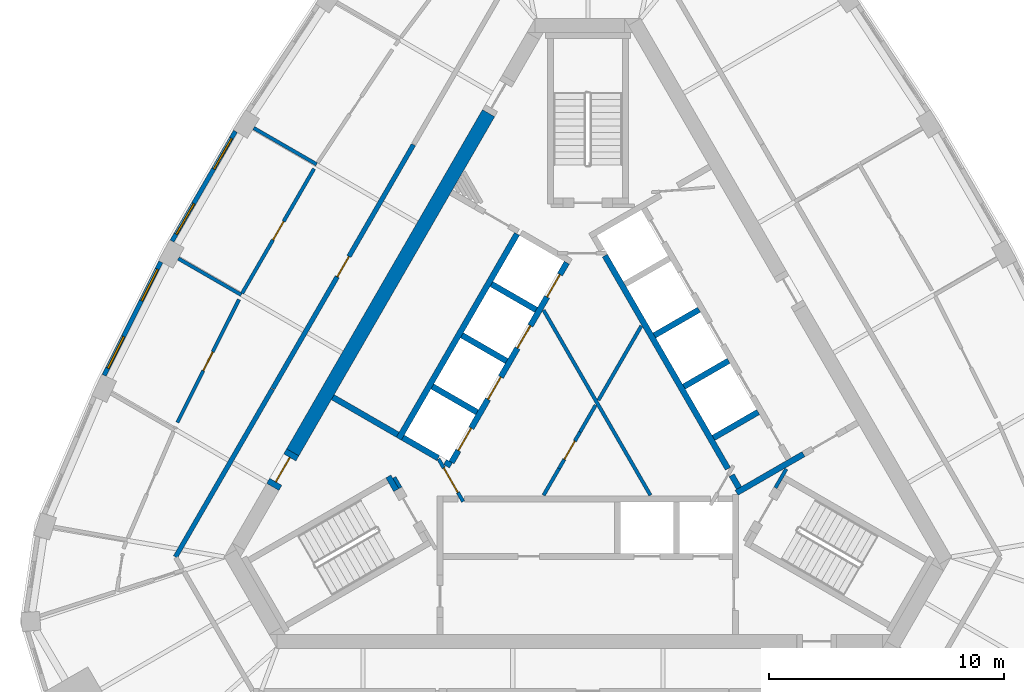
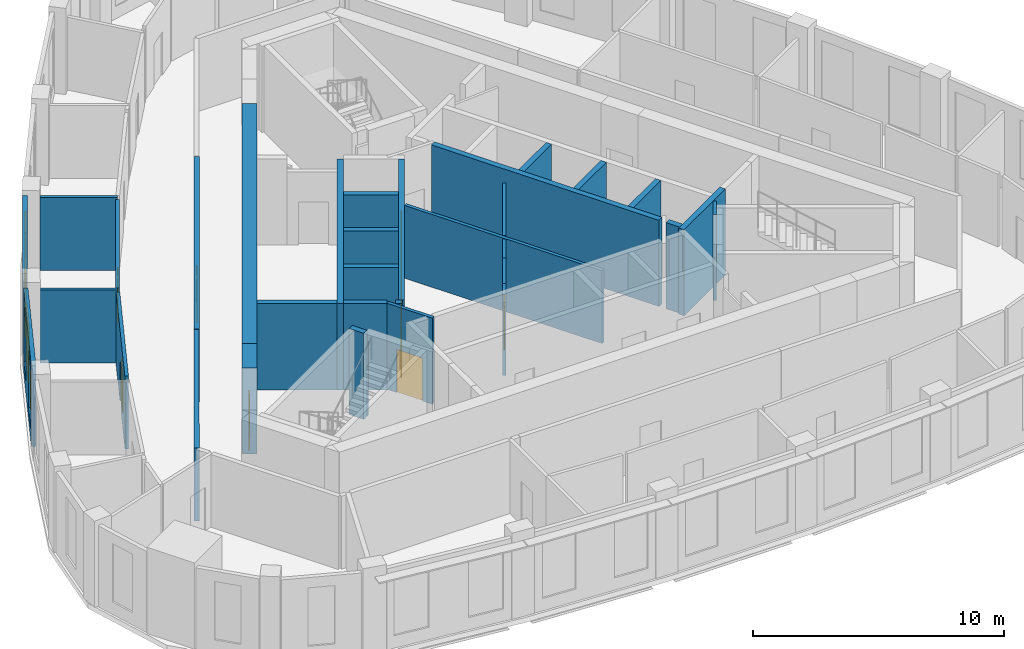
# One storey, part 5 of 10: 33 walls, 10 doors, 4 windows, 14 openings.
"""IFC4 building model written with IfcOpenShell, lengths in metres."""

import ifcopenshell
import ifcopenshell.guid

model = None  # the IFC model being written
_history = None  # IfcOwnerHistory: only IFC2X3 demands one
_inside = {}  # id of a spatial element -> (the spatial element, [elements in it])
_under = {}  # id of a project, library or spatial element -> (it, [spatial elements below it])
_declared = {}  # id of a project -> (the project, [libraries it declares])
_typed = {}  # id of a type object -> (the type object, [elements of that type])
_made_of = {}  # id of a material, layer set ... -> (it, [elements and type objects made of it])


def new_model(schema):
    """Start an empty IFC model of exactly this schema.

    Asked for "IFC4X3", IfcOpenShell would pick the latest addendum, in which some entities
    have other attributes; the version numbers below select the first issue.
    IFC2X3 requires an IfcOwnerHistory on every rooted entity: one is made here for all.
    """
    global model, _history
    if schema == "IFC4X3":
        model = ifcopenshell.file(schema_version=(4, 3, 0, 0))
    else:
        model = ifcopenshell.file(schema=schema)
    _inside.clear()
    _under.clear()
    _declared.clear()
    _typed.clear()
    _made_of.clear()
    _history = None
    if model.schema == "IFC2X3":
        org = make("IfcOrganization", Name="unknown")
        user = make(
            "IfcPersonAndOrganization",
            ThePerson=make("IfcPerson", FamilyName="unknown"),
            TheOrganization=org,
        )
        app = make(
            "IfcApplication",
            ApplicationDeveloper=org,
            Version="unknown",
            ApplicationFullName="unknown",
            ApplicationIdentifier="unknown",
        )
        _history = make(
            "IfcOwnerHistory",
            OwningUser=user,
            OwningApplication=app,
            ChangeAction="ADDED",
            CreationDate=0,
        )
    return model


def make(cls, **values):
    """One entity of the class cls with the attributes given. An attribute that is None is left unset."""
    return model.create_entity(
        cls, **{name: value for name, value in values.items() if value is not None}
    )


def rooted(cls, **values):
    """An entity with a GlobalId (a new one), such as an element, a storey or a relation."""
    return make(cls, GlobalId=ifcopenshell.guid.new(), OwnerHistory=_history, **values)


def si_unit(unit_type, name, prefix=None):
    """IfcSIUnit, for example si_unit("LENGTHUNIT", "METRE", prefix="MILLI")."""
    return make("IfcSIUnit", UnitType=unit_type, Prefix=prefix, Name=name)


def assignment(units):
    """IfcUnitAssignment: the units of a project."""
    return None if units is None else make("IfcUnitAssignment", Units=units)


def point(xyz):
    """IfcCartesianPoint."""
    return None if xyz is None else make("IfcCartesianPoint", Coordinates=xyz)


def direction(xyz):
    """IfcDirection."""
    return None if xyz is None else make("IfcDirection", DirectionRatios=xyz)


def frame(location, z_axis=None, x_axis=None):
    """IfcAxis2Placement3D, a coordinate frame: its origin and axes. An axis left out is left unset."""
    return make(
        "IfcAxis2Placement3D",
        Location=point(location),
        Axis=direction(z_axis),
        RefDirection=direction(x_axis),
    )


def frame_2d(location, x_axis=None):
    """IfcAxis2Placement2D, a coordinate frame in the plane: its origin and x axis."""
    return make(
        "IfcAxis2Placement2D", Location=point(location), RefDirection=direction(x_axis)
    )


def origin():
    """The frame at (0, 0, 0) with its axes left unset."""
    return frame((0.0, 0.0, 0.0))


def place(relative_to, where):
    """IfcLocalPlacement: puts the frame where relative to a parent placement (None: the world)."""
    return make(
        "IfcLocalPlacement", PlacementRelTo=relative_to, RelativePlacement=where
    )


def context(
    kind, dimensions, precision=None, world=None, true_north=None, identifier=None
):
    """IfcGeometricRepresentationContext, for example the 3D "Model" context."""
    return make(
        "IfcGeometricRepresentationContext",
        ContextIdentifier=identifier,
        ContextType=kind,
        CoordinateSpaceDimension=dimensions,
        Precision=precision,
        WorldCoordinateSystem=world,
        TrueNorth=true_north,
    )


def subcontext(parent, identifier, kind, view, scale=None):
    """IfcGeometricRepresentationSubContext, for example "Body" below "Model"."""
    return make(
        "IfcGeometricRepresentationSubContext",
        ContextIdentifier=identifier,
        ContextType=kind,
        ParentContext=parent,
        TargetScale=scale,
        TargetView=view,
    )


def project(units=None, contexts=None):
    """IfcProject with its units and contexts."""
    return rooted(
        "IfcProject",
        Name="project",
        RepresentationContexts=contexts,
        UnitsInContext=assignment(units),
    )


def spatial(cls, under=None, at=None, **own):
    """A site, building, storey or space (cls), placed at a placement, below another one or the project."""
    s = rooted(cls, ObjectPlacement=at, **own)
    if under is not None:
        _under.setdefault(under.id(), (under, []))[1].append(s)
    return s


def profile(cls, at=None, kind="AREA", **sizes):
    """A parametric profile (cls). Its sizes go by their IFC names, for example OverallWidth=200.0."""
    return make(cls, ProfileType=kind, Position=at, **sizes)


def rectangle(**sizes):
    """IfcRectangleProfileDef."""
    return profile("IfcRectangleProfileDef", **sizes)


def extrude(swept, where, along, depth):
    """IfcExtrudedAreaSolid: the profile swept, set in the frame where, extruded along a direction by depth."""
    return make(
        "IfcExtrudedAreaSolid",
        SweptArea=swept,
        Position=where,
        ExtrudedDirection=direction(along),
        Depth=depth,
    )


def shape(context_of_items, identifier, shape_type, items):
    """IfcShapeRepresentation: the items that make up one representation, for example the "Body"."""
    return make(
        "IfcShapeRepresentation",
        ContextOfItems=context_of_items,
        RepresentationIdentifier=identifier,
        RepresentationType=shape_type,
        Items=items,
    )


def material(Name=None, Category=None):
    """IfcMaterial."""
    return make("IfcMaterial", Name=Name, Category=Category)


def layer(
    of_material, thickness, ventilated=None, Name=None, Category=None, Priority=None
):
    """IfcMaterialLayer: one layer of a wall or slab, of a material (None: an air gap)."""
    return make(
        "IfcMaterialLayer",
        Material=of_material,
        LayerThickness=thickness,
        IsVentilated=ventilated,
        Name=Name,
        Category=Category,
        Priority=Priority,
    )


def layer_set(layers, Name=None):
    """IfcMaterialLayerSet."""
    return make("IfcMaterialLayerSet", MaterialLayers=layers, LayerSetName=Name)


def made_of(thing, what):
    """Note that an element or type object is made of a material, layer set ...; save() writes the relation."""
    if what is not None:
        _made_of.setdefault(what.id(), (what, []))[1].append(thing)
    return thing


def type_object(cls, material=None, **own):
    """A type object (cls), such as IfcWallType, which elements share."""
    return made_of(rooted(cls, **own), material)


def element(
    cls,
    number,
    at=None,
    inside=None,
    cuts=None,
    type_object=None,
    material=None,
    context=None,
    identifier="Body",
    shape_type=None,
    held_by="IfcProductDefinitionShape",
    body=None,
    shapes=None,
    **own,
):
    """One element of the class cls, such as IfcWall. Its Tag is "e" and its number.

    at: its placement. inside: the storey or other place that contains it. cuts: it is an
    opening in that element (IfcRelVoidsElement). A single representation is given by context,
    identifier, shape_type and body (its items); several are given by shapes. held_by: the class
    of the entity that holds the representations. save() writes the other relations.
    """
    e = rooted(cls, Tag="e%d" % number, ObjectPlacement=at, **own)
    if body is not None:
        shapes = [shape(context, identifier, shape_type, body)]
    if shapes is not None:
        e.Representation = make(held_by, Representations=shapes)
    if inside is not None:
        _inside.setdefault(inside.id(), (inside, []))[1].append(e)
    if cuts is not None:
        rooted(
            "IfcRelVoidsElement", RelatingBuildingElement=cuts, RelatedOpeningElement=e
        )
    if type_object is not None:
        _typed.setdefault(type_object.id(), (type_object, []))[1].append(e)
    return made_of(e, material)


def fill(opening, filler):
    """IfcRelFillsElement: the door or window that sits in an opening."""
    return rooted(
        "IfcRelFillsElement",
        RelatingOpeningElement=opening,
        RelatedBuildingElement=filler,
    )


def aggregate(whole, parts):
    """IfcRelAggregates: a whole, such as a stair, and the parts it consists of."""
    return rooted("IfcRelAggregates", RelatingObject=whole, RelatedObjects=parts)


def save(model, path):
    """Write the relations noted so far, then the file.

    IfcRelAggregates (storeys below a building ...), IfcRelContainedInSpatialStructure (elements
    in a storey), IfcRelDefinesByType, IfcRelAssociatesMaterial and IfcRelDeclares: one each for
    every whole, place, type object, material and project.
    """
    for whole, parts in _under.values():
        aggregate(whole, parts)
    for where, things in _inside.values():
        rooted(
            "IfcRelContainedInSpatialStructure",
            RelatedElements=things,
            RelatingStructure=where,
        )
    for kind, things in _typed.values():
        rooted("IfcRelDefinesByType", RelatedObjects=things, RelatingType=kind)
    for what, things in _made_of.values():
        rooted("IfcRelAssociatesMaterial", RelatedObjects=things, RelatingMaterial=what)
    for by, libraries in _declared.values():
        rooted("IfcRelDeclares", RelatingContext=by, RelatedDefinitions=libraries)
    model.write(path)


model = new_model("IFC4")

# Units and contexts
model_context = context("Model", 3, precision=1e-05, world=origin(), true_north=direction((0.0, 1.0)))
body_context = subcontext(model_context, "Body", "Model", "MODEL_VIEW")
ifc_project = project(units=[si_unit("LENGTHUNIT", "METRE"), si_unit("AREAUNIT", "SQUARE_METRE"), si_unit("VOLUMEUNIT", "CUBIC_METRE"), si_unit("PLANEANGLEUNIT", "RADIAN"), si_unit("MASSUNIT", "GRAM", prefix="KILO")], contexts=[model_context])

# Site, building, storey
site_placement = place(None, origin())
site = spatial("IfcSite", under=ifc_project, at=site_placement, CompositionType="ELEMENT")
building_placement = place(site_placement, origin())
building = spatial("IfcBuilding", under=site, at=building_placement, Name="Mestral Congress Tower", CompositionType="ELEMENT")
storey_placement = place(building_placement, frame((0.0, 0.0, 279.60009765625)))
storey = spatial("IfcBuildingStorey", under=building, at=storey_placement, Name="L65", CompositionType="ELEMENT", Elevation=279.60009765625)

# Walls
ifc_material_1 = material(Name="Fire-rated board partition")
ifc_layer_1 = layer(ifc_material_1, 0.14990234375)
ifc_layer_set_1 = layer_set([ifc_layer_1], Name="Fire-rated board partition")
wall_type_1 = type_object("IfcWallType", Name="Core partition 150", PredefinedType="PARTITIONING", material=ifc_layer_set_1)
wall_1_placement = place(storey_placement, frame((-8.251953125, -2.958251953125, 0.0), z_axis=(0.0, 0.0, 1.0), x_axis=(0.500174715838, -0.865924508047, 0.0)))
element("IfcWall", 1, at=wall_1_placement, inside=storey, type_object=wall_type_1, Name="L65 core wall", PredefinedType="PARTITIONING", context=body_context, shape_type="SweptSolid", body=[
    extrude(rectangle(XDim=0.513916015625, YDim=0.14990234375, at=frame_2d((0.2568359375, 0.0))), origin(), (0.0, 0.0, 1.0), 3.5498046875),
])
wall_2_placement = place(storey_placement, frame((-1.886962890625, 4.168212890625, 0.0), z_axis=(0.0, 0.0, 1.0), x_axis=(0.499997069472, -0.866027095719, 0.0)))
element("IfcWall", 2, at=wall_2_placement, inside=storey, type_object=wall_type_1, Name="L65 core wall", PredefinedType="PARTITIONING", context=body_context, shape_type="SweptSolid", body=[
    extrude(rectangle(XDim=9.1064453125, YDim=0.14990234375, at=frame_2d((4.55322265625, 0.0))), origin(), (0.0, 0.0, 1.0), 3.5498046875),
])
wall_3_placement = place(storey_placement, frame((-0.329345703125, -1.0205078125, 0.0), z_axis=(0.0, 0.0, 1.0), x_axis=(0.500033191285, 0.866006239939, 0.0)))
element("IfcWall", 3, at=wall_3_placement, inside=storey, type_object=wall_type_1, Name="L65 core wall", PredefinedType="PARTITIONING", context=body_context, shape_type="SweptSolid", body=[
    extrude(rectangle(XDim=1.31494140625, YDim=0.14990234375, at=frame_2d((0.657470703125, 0.0))), origin(), (0.0, 0.0, 1.0), 3.5498046875),
])
wall_4_placement = place(storey_placement, frame((2.276611328125, 3.4931640625, 0.0), z_axis=(0.0, 0.0, 1.0), x_axis=(-0.499994550825, -0.866028549844, 0.0)))
element("IfcWall", 4, at=wall_4_placement, inside=storey, type_object=wall_type_1, Name="L65 core wall", PredefinedType="PARTITIONING", context=body_context, shape_type="SweptSolid", body=[
    extrude(rectangle(XDim=3.650390625, YDim=0.14990234375, at=frame_2d((1.8251953125, 0.0))), origin(), (0.0, 0.0, 1.0), 3.5498046875),
])
wall_5_placement = place(storey_placement, frame((-1.886962890625, -3.71826171875, 0.0), z_axis=(0.0, 0.0, 1.0), x_axis=(0.500033191285, 0.866006239939, 0.0)))
element("IfcWall", 5, at=wall_5_placement, inside=storey, type_object=wall_type_1, Name="L65 core wall", PredefinedType="PARTITIONING", context=body_context, shape_type="SweptSolid", body=[
    extrude(rectangle(XDim=1.31494140625, YDim=0.14990234375, at=frame_2d((0.657470703125, 0.0))), origin(), (0.0, 0.0, 1.0), 3.5498046875),
])

# Wall, opening, door
wall_6_placement = place(storey_placement, frame((-1.2294921875, -2.579345703125, 0.0), z_axis=(0.0, 0.0, 1.0), x_axis=(0.500062916607, 0.865989075817, 0.0)))
wall_6 = element("IfcWall", 6, at=wall_6_placement, inside=storey, type_object=wall_type_1, Name="L65 door wall", PredefinedType="PARTITIONING", context=body_context, shape_type="SweptSolid", body=[
    extrude(rectangle(XDim=1.800048828125, YDim=0.14990234375, at=frame_2d((0.89990234375, 0.0))), origin(), (0.0, 0.0, 1.0), 3.5498046875),
])
opening_1_placement = place(wall_6_placement, frame((0.449951171875, 0.0, 0.0)))
opening_1 = element("IfcOpeningElement", 7, at=opening_1_placement, cuts=wall_6, Name="Opening SD-HUB2", PredefinedType="OPENING", context=body_context, shape_type="SweptSolid", body=[
    extrude(rectangle(XDim=0.89990234375, YDim=2.10009765625, at=frame_2d((0.449951171875, 1.050048828125))), frame((0.0, 0.0849609375, 0.0), z_axis=(0.0, -1.0, 0.0), x_axis=(1.0, 0.0, 0.0)), (0.0, 0.0, 1.0), 0.169921875),
])
ifc_material_2 = material(Name="Fire-rated steel door set", Category="steel")
door_type_1 = type_object("IfcDoorType", Name="Core door SR 900x2100", OperationType="SINGLE_SWING_LEFT", PredefinedType="DOOR", material=ifc_material_2)
door_1_placement = place(opening_1_placement, origin())
door_1 = element("IfcDoor", 8, at=door_1_placement, inside=storey, type_object=door_type_1, Name="Door SD-HUB2", OperationType="SINGLE_SWING_LEFT", OverallHeight=2.10009765625, OverallWidth=0.89990234375, PredefinedType="DOOR", context=body_context, shape_type="SweptSolid", body=[
    extrude(rectangle(XDim=0.89990234375, YDim=2.10009765625, at=frame_2d((0.449951171875, 1.050048828125))), frame((0.0, 0.02490234375, 0.0), z_axis=(0.0, -1.0, 0.0), x_axis=(1.0, 0.0, 0.0)), (0.0, 0.0, 1.0), 0.050048828125),
])
fill(opening_1, door_1)

# Wall
ifc_material_3 = material(Name="Concrete C60/75", Category="concrete")
ifc_layer_2 = layer(ifc_material_3, 0.60009765625)
ifc_layer_set_2 = layer_set([ifc_layer_2], Name="Concrete C60/75")
wall_type_2 = type_object("IfcWallType", Name="Core wall RC 600", PredefinedType="SOLIDWALL", material=ifc_layer_set_2)
wall_7_placement = place(storey_placement, frame((-4.234375, 12.56591796875, 0.0), z_axis=(0.0, 0.0, 1.0), x_axis=(-0.499998841866, -0.866026072432, 0.0)))
element("IfcWall", 9, at=wall_7_placement, inside=storey, type_object=wall_type_2, Name="L65 core wall", PredefinedType="SOLIDWALL", context=body_context, shape_type="SweptSolid", body=[
    extrude(rectangle(XDim=16.6943359375, YDim=0.60009765625, at=frame_2d((8.34716796875, 0.0))), origin(), (0.0, 0.0, 1.0), 4.199951171875),
])

# Wall, opening, door
wall_8_placement = place(storey_placement, frame((-13.431640625, -3.3642578125, 0.0), z_axis=(0.0, 0.0, 1.0), x_axis=(0.500000056704, 0.866025371046, 0.0)))
wall_8 = element("IfcWall", 10, at=wall_8_placement, inside=storey, type_object=wall_type_2, Name="L65 door wall", PredefinedType="SOLIDWALL", context=body_context, shape_type="SweptSolid", body=[
    extrude(rectangle(XDim=1.7001953125, YDim=0.60009765625, at=frame_2d((0.85009765625, 0.0))), origin(), (0.0, 0.0, 1.0), 4.199951171875),
])
opening_2_placement = place(wall_8_placement, frame((0.25, 0.0, 0.0)))
opening_2 = element("IfcOpeningElement", 11, at=opening_2_placement, cuts=wall_8, Name="Opening XD3", PredefinedType="OPENING", context=body_context, shape_type="SweptSolid", body=[
    extrude(rectangle(XDim=1.199951171875, YDim=2.10009765625, at=frame_2d((0.60009765625, 1.050048828125))), frame((0.0, 0.31005859375, 0.0), z_axis=(0.0, -1.0, 0.0), x_axis=(1.0, 0.0, 0.0)), (0.0, 0.0, 1.0), 0.6201171875),
])
door_type_2 = type_object("IfcDoorType", Name="Core door XD 1200x2100", OperationType="SINGLE_SWING_LEFT", PredefinedType="DOOR", material=ifc_material_2)
door_2_placement = place(opening_2_placement, origin())
door_2 = element("IfcDoor", 12, at=door_2_placement, inside=storey, type_object=door_type_2, Name="Door XD3", OperationType="SINGLE_SWING_LEFT", OverallHeight=2.10009765625, OverallWidth=1.199951171875, PredefinedType="DOOR", context=body_context, shape_type="SweptSolid", body=[
    extrude(rectangle(XDim=1.199951171875, YDim=2.10009765625, at=frame_2d((0.60009765625, 1.050048828125))), frame((0.0, 0.02490234375, 0.0), z_axis=(0.0, -1.0, 0.0), x_axis=(1.0, 0.0, 0.0)), (0.0, 0.0, 1.0), 0.050048828125),
])
fill(opening_2, door_2)

# Wall, openings, windows
ifc_material_4 = material(Name="Precast concrete C40/50 with limestone facing", Category="masonry")
ifc_layer_3 = layer(ifc_material_4, 0.18994140625)
ifc_layer_set_3 = layer_set([ifc_layer_3], Name="Precast concrete C40/50 with limestone facing")
wall_type_3 = type_object("IfcWallType", Name="Facade stone wall 190", PredefinedType="SOLIDWALL", material=ifc_layer_set_3)
wall_9_placement = place(storey_placement, frame((-15.025146484375, 11.7958984375, 0.0), z_axis=(0.0, 0.0, 1.0), x_axis=(-0.500024767483, -0.866011103799, 0.0)))
wall_9 = element("IfcWall", 13, at=wall_9_placement, inside=storey, type_object=wall_type_3, Name="Facade wall F2-02", PredefinedType="SOLIDWALL", context=body_context, shape_type="SweptSolid", body=[
    extrude(rectangle(XDim=5.406005859375, YDim=0.18994140625, at=frame_2d((2.703125, 0.0))), origin(), (0.0, 0.0, 1.0), 3.949951171875),
])
opening_3_placement = place(wall_9_placement, frame((0.346435546875, 0.0, 0.60009765625)))
opening_3 = element("IfcOpeningElement", 14, at=opening_3_placement, cuts=wall_9, Name="Opening W6", PredefinedType="OPENING", context=body_context, shape_type="SweptSolid", body=[
    extrude(rectangle(XDim=1.5, YDim=2.85009765625, at=frame_2d((0.75, 1.425048828125))), frame((0.0, 0.10498046875, 0.0), z_axis=(0.0, -1.0, 0.0), x_axis=(1.0, 0.0, 0.0)), (0.0, 0.0, 1.0), 0.2099609375),
])
opening_4_placement = place(wall_9_placement, frame((3.559326171875, 0.0, 0.60009765625)))
opening_4 = element("IfcOpeningElement", 15, at=opening_4_placement, cuts=wall_9, Name="Opening W6", PredefinedType="OPENING", context=body_context, shape_type="SweptSolid", body=[
    extrude(rectangle(XDim=1.5, YDim=2.85009765625, at=frame_2d((0.75, 1.425048828125))), frame((0.0, 0.10498046875, 0.0), z_axis=(0.0, -1.0, 0.0), x_axis=(1.0, 0.0, 0.0)), (0.0, 0.0, 1.0), 0.2099609375),
])
ifc_material_5 = material(Name="Clear low-emissivity double glazing", Category="glass")
window_type = type_object("IfcWindowType", Name="Facade punched window 1500 x 2850 sill 600", PartitioningType="SINGLE_PANEL", PredefinedType="WINDOW", material=ifc_material_5)
window_1_placement = place(opening_3_placement, origin())
window_1 = element("IfcWindow", 16, at=window_1_placement, inside=storey, type_object=window_type, Name="Window F2-02a", OverallHeight=2.85009765625, OverallWidth=1.5, PartitioningType="SINGLE_PANEL", PredefinedType="WINDOW", context=body_context, shape_type="SweptSolid", body=[
    extrude(rectangle(XDim=1.5, YDim=2.85009765625, at=frame_2d((0.75, 1.425048828125))), frame((0.0, 0.044921875, 0.0), z_axis=(0.0, -1.0, 0.0), x_axis=(1.0, 0.0, 0.0)), (0.0, 0.0, 1.0), 0.06005859375),
])
fill(opening_3, window_1)
window_2_placement = place(opening_4_placement, origin())
window_2 = element("IfcWindow", 17, at=window_2_placement, inside=storey, type_object=window_type, Name="Window F2-02b", OverallHeight=2.85009765625, OverallWidth=1.5, PartitioningType="SINGLE_PANEL", PredefinedType="WINDOW", context=body_context, shape_type="SweptSolid", body=[
    extrude(rectangle(XDim=1.5, YDim=2.85009765625, at=frame_2d((0.75, 1.425048828125))), frame((0.0, 0.044921875, 0.0), z_axis=(0.0, -1.0, 0.0), x_axis=(1.0, 0.0, 0.0)), (0.0, 0.0, 1.0), 0.06005859375),
])
fill(opening_4, window_2)

wall_10_placement = place(storey_placement, frame((-18.205810546875, 6.226806640625, 0.0), z_axis=(0.0, 0.0, 1.0), x_axis=(-0.447484531401, -0.894291671747, 0.0)))
wall_10 = element("IfcWall", 18, at=wall_10_placement, inside=storey, type_object=wall_type_3, Name="Facade wall F2-03", PredefinedType="SOLIDWALL", context=body_context, shape_type="SweptSolid", body=[
    extrude(rectangle(XDim=5.40625, YDim=0.18994140625, at=frame_2d((2.703125, 0.0))), origin(), (0.0, 0.0, 1.0), 3.949951171875),
])
opening_5_placement = place(wall_10_placement, frame((0.346435546875, 0.0, 0.60009765625)))
opening_5 = element("IfcOpeningElement", 19, at=opening_5_placement, cuts=wall_10, Name="Opening W6", PredefinedType="OPENING", context=body_context, shape_type="SweptSolid", body=[
    extrude(rectangle(XDim=1.5, YDim=2.85009765625, at=frame_2d((0.75, 1.425048828125))), frame((0.0, 0.10498046875, 0.0), z_axis=(0.0, -1.0, 0.0), x_axis=(1.0, 0.0, 0.0)), (0.0, 0.0, 1.0), 0.2099609375),
])
opening_6_placement = place(wall_10_placement, frame((3.559326171875, 0.0, 0.60009765625)))
opening_6 = element("IfcOpeningElement", 20, at=opening_6_placement, cuts=wall_10, Name="Opening W6", PredefinedType="OPENING", context=body_context, shape_type="SweptSolid", body=[
    extrude(rectangle(XDim=1.5, YDim=2.85009765625, at=frame_2d((0.75, 1.425048828125))), frame((0.0, 0.10498046875, 0.0), z_axis=(0.0, -1.0, 0.0), x_axis=(1.0, 0.0, 0.0)), (0.0, 0.0, 1.0), 0.2099609375),
])
window_3_placement = place(opening_5_placement, origin())
window_3 = element("IfcWindow", 21, at=window_3_placement, inside=storey, type_object=window_type, Name="Window F2-03a", OverallHeight=2.85009765625, OverallWidth=1.5, PartitioningType="SINGLE_PANEL", PredefinedType="WINDOW", context=body_context, shape_type="SweptSolid", body=[
    extrude(rectangle(XDim=1.5, YDim=2.85009765625, at=frame_2d((0.75, 1.425048828125))), frame((0.0, 0.044921875, 0.0), z_axis=(0.0, -1.0, 0.0), x_axis=(1.0, 0.0, 0.0)), (0.0, 0.0, 1.0), 0.06005859375),
])
fill(opening_5, window_3)
window_4_placement = place(opening_6_placement, origin())
window_4 = element("IfcWindow", 22, at=window_4_placement, inside=storey, type_object=window_type, Name="Window F2-03b", OverallHeight=2.85009765625, OverallWidth=1.5, PartitioningType="SINGLE_PANEL", PredefinedType="WINDOW", context=body_context, shape_type="SweptSolid", body=[
    extrude(rectangle(XDim=1.5, YDim=2.85009765625, at=frame_2d((0.75, 1.425048828125))), frame((0.0, 0.044921875, 0.0), z_axis=(0.0, -1.0, 0.0), x_axis=(1.0, 0.0, 0.0)), (0.0, 0.0, 1.0), 0.06005859375),
])
fill(opening_6, window_4)

# Walls
ifc_material_6 = material(Name="Plasterboard partition on steel studs", Category="steel")
ifc_layer_4 = layer(ifc_material_6, 0.14990234375)
ifc_layer_set_4 = layer_set([ifc_layer_4], Name="Plasterboard partition on steel studs")
wall_type_4 = type_object("IfcWallType", Name="Office partition 150", PredefinedType="PARTITIONING", material=ifc_layer_set_4)
for number, where, z_axis, x_axis, name in (
    (23, (-11.564208984375, 10.38671875, 0.0), (0.0, 0.0, 1.0), (-0.86604641216, 0.499963610661, 0.0), "Partition"),
    (24, (-14.77734375, 4.821533203125, 0.0), (0.0, 0.0, 1.0), (-0.865992557167, 0.500056887695, 0.0), "Partition"),
):
    element("IfcWall", number, at=place(storey_placement, frame(where, z_axis=z_axis, x_axis=x_axis)), inside=storey, type_object=wall_type_4, Name=name, PredefinedType="PARTITIONING", context=body_context, shape_type="SweptSolid", body=[
        extrude(rectangle(XDim=3.096435546875, YDim=0.14990234375, at=frame_2d((1.54833984375, 0.0))), origin(), (0.0, 0.0, 1.0), 3.5498046875),
    ])

# Wall, opening, door
wall_11_placement = place(storey_placement, frame((-14.73974609375, 4.88671875, 0.0), z_axis=(0.0, 0.0, 1.0), x_axis=(0.500007141444, 0.86602128063, 0.0)))
wall_11 = element("IfcWall", 25, at=wall_11_placement, inside=storey, type_object=wall_type_4, Name="Partition", PredefinedType="PARTITIONING", context=body_context, shape_type="SweptSolid", body=[
    extrude(rectangle(XDim=6.13671875, YDim=0.14990234375, at=frame_2d((3.068359375, 0.0))), origin(), (0.0, 0.0, 1.0), 3.5498046875),
])
opening_7_placement = place(wall_11_placement, frame((2.63671875, 0.0, 0.0)))
opening_7 = element("IfcOpeningElement", 26, at=opening_7_placement, cuts=wall_11, Name="Opening O12-014", PredefinedType="OPENING", context=body_context, shape_type="SweptSolid", body=[
    extrude(rectangle(XDim=0.89990234375, YDim=2.10009765625, at=frame_2d((0.449951171875, 1.050048828125))), frame((0.0, 0.0849609375, 0.0), z_axis=(0.0, -1.0, 0.0), x_axis=(1.0, 0.0, 0.0)), (0.0, 0.0, 1.0), 0.169921875),
])
ifc_material_7 = material(Name="Timber door set", Category="wood")
door_type_3 = type_object("IfcDoorType", Name="Office door 900x2100", OperationType="SINGLE_SWING_LEFT", PredefinedType="DOOR", material=ifc_material_7)
door_3_placement = place(opening_7_placement, origin())
door_3 = element("IfcDoor", 27, at=door_3_placement, inside=storey, type_object=door_type_3, Name="Door O12-014", OperationType="SINGLE_SWING_RIGHT", OverallHeight=2.10009765625, OverallWidth=0.89990234375, PredefinedType="DOOR", context=body_context, shape_type="SweptSolid", body=[
    extrude(rectangle(XDim=0.89990234375, YDim=2.10009765625, at=frame_2d((0.449951171875, 1.050048828125))), frame((0.0, 0.02490234375, 0.0), z_axis=(0.0, -1.0, 0.0), x_axis=(1.0, 0.0, 0.0)), (0.0, 0.0, 1.0), 0.050048828125),
])
fill(opening_7, door_3)

wall_12_placement = place(storey_placement, frame((-17.49658203125, -0.61328125, 0.0), z_axis=(0.0, 0.0, 1.0), x_axis=(0.447480081559, 0.89429389834, 0.0)))
wall_12 = element("IfcWall", 28, at=wall_12_placement, inside=storey, type_object=wall_type_4, Name="Partition", PredefinedType="PARTITIONING", context=body_context, shape_type="SweptSolid", body=[
    extrude(rectangle(XDim=5.86279296875, YDim=0.14990234375, at=frame_2d((2.931396484375, 0.0))), origin(), (0.0, 0.0, 1.0), 3.5498046875),
])
opening_8_placement = place(wall_12_placement, frame((2.463134765625, 0.0, 0.0)))
opening_8 = element("IfcOpeningElement", 29, at=opening_8_placement, cuts=wall_12, Name="Opening O12-015", PredefinedType="OPENING", context=body_context, shape_type="SweptSolid", body=[
    extrude(rectangle(XDim=0.89990234375, YDim=2.10009765625, at=frame_2d((0.449951171875, 1.050048828125))), frame((0.0, 0.0849609375, 0.0), z_axis=(0.0, -1.0, 0.0), x_axis=(1.0, 0.0, 0.0)), (0.0, 0.0, 1.0), 0.169921875),
])
door_4_placement = place(opening_8_placement, origin())
door_4 = element("IfcDoor", 30, at=door_4_placement, inside=storey, type_object=door_type_3, Name="Door O12-015", OperationType="SINGLE_SWING_LEFT", OverallHeight=2.10009765625, OverallWidth=0.89990234375, PredefinedType="DOOR", context=body_context, shape_type="SweptSolid", body=[
    extrude(rectangle(XDim=0.89990234375, YDim=2.10009765625, at=frame_2d((0.449951171875, 1.050048828125))), frame((0.0, 0.02490234375, 0.0), z_axis=(0.0, -1.0, 0.0), x_axis=(1.0, 0.0, 0.0)), (0.0, 0.0, 1.0), 0.050048828125),
])
fill(opening_8, door_4)

ifc_material_8 = material(Name="Dense masonry wall, plastered", Category="masonry")
ifc_layer_5 = layer(ifc_material_8, 0.199951171875)
ifc_layer_set_5 = layer_set([ifc_layer_5], Name="Dense masonry wall, plastered")
wall_type_5 = type_object("IfcWallType", Name="Office tenancy wall 200", PredefinedType="PARTITIONING", material=ifc_layer_set_5)
wall_13_placement = place(storey_placement, frame((-7.435546875, 11.22119140625, 0.0), z_axis=(0.0, 0.0, 1.0), x_axis=(-0.49999894854, -0.866026010844, 0.0)))
wall_13 = element("IfcWall", 31, at=wall_13_placement, inside=storey, type_object=wall_type_5, Name="Tenancy wall", PredefinedType="PARTITIONING", context=body_context, shape_type="SweptSolid", body=[
    extrude(rectangle(XDim=12.0, YDim=0.199951171875, at=frame_2d((6.0, 0.0))), origin(), (0.0, 0.0, 1.0), 3.5498046875),
])
opening_9_placement = place(wall_13_placement, frame((5.5, 0.0, 0.0)))
opening_9 = element("IfcOpeningElement", 32, at=opening_9_placement, cuts=wall_13, Name="Opening O12-018", PredefinedType="OPENING", context=body_context, shape_type="SweptSolid", body=[
    extrude(rectangle(XDim=1.0, YDim=2.10009765625, at=frame_2d((0.5, 1.050048828125))), frame((0.0, 0.10986328125, 0.0), z_axis=(0.0, -1.0, 0.0), x_axis=(1.0, 0.0, 0.0)), (0.0, 0.0, 1.0), 0.219970703125),
])
ifc_material_9 = material(Name="Fire-rated timber door set", Category="wood")
door_type_4 = type_object("IfcDoorType", Name="Office tenancy entrance door 1000x2100", OperationType="SINGLE_SWING_LEFT", PredefinedType="DOOR", material=ifc_material_9)
door_5_placement = place(opening_9_placement, origin())
door_5 = element("IfcDoor", 33, at=door_5_placement, inside=storey, type_object=door_type_4, Name="Door O12-018", OperationType="SINGLE_SWING_RIGHT", OverallHeight=2.10009765625, OverallWidth=1.0, PredefinedType="DOOR", context=body_context, shape_type="SweptSolid", body=[
    extrude(rectangle(XDim=1.0, YDim=2.10009765625, at=frame_2d((0.5, 1.050048828125))), frame((0.0, 0.02490234375, 0.0), z_axis=(0.0, -1.0, 0.0), x_axis=(1.0, 0.0, 0.0)), (0.0, 0.0, 1.0), 0.050048828125),
])
fill(opening_9, door_5)

# Walls
wall_14_placement = place(storey_placement, frame((-13.45068359375, 0.802978515625, 0.0), z_axis=(0.0, 0.0, 1.0), x_axis=(-0.499982585408, -0.86603545787, 0.0)))
element("IfcWall", 34, at=wall_14_placement, inside=storey, type_object=wall_type_5, Name="Tenancy wall", PredefinedType="PARTITIONING", context=body_context, shape_type="SweptSolid", body=[
    extrude(rectangle(XDim=8.259521484375, YDim=0.199951171875, at=frame_2d((4.1298828125, 0.0))), origin(), (0.0, 0.0, 1.0), 3.5498046875),
])
ifc_layer_6 = layer(ifc_material_3, 0.25)
ifc_layer_set_6 = layer_set([ifc_layer_6], Name="Concrete C60/75")
wall_type_6 = type_object("IfcWallType", Name="Shaft wall RC 250", PredefinedType="SOLIDWALL", material=ifc_layer_set_6)
wall_15_placement = place(storey_placement, frame((9.190185546875, -1.96875, 0.0), z_axis=(0.0, 0.0, 1.0), x_axis=(-0.866057109641, -0.499945079824, 0.0)))
element("IfcWall", 35, at=wall_15_placement, inside=storey, type_object=wall_type_6, Name="L65 core wall", PredefinedType="SOLIDWALL", context=body_context, shape_type="SweptSolid", body=[
    extrude(rectangle(XDim=3.290771484375, YDim=0.25, at=frame_2d((1.6455078125, 0.0))), origin(), (0.0, 0.0, 1.0), 4.199951171875),
])
wall_16_placement = place(storey_placement, frame((6.1298828125, -2.867431640625, 0.0), z_axis=(0.0, 0.0, 1.0), x_axis=(0.500160776593, -0.865932559475, 0.0)))
element("IfcWall", 36, at=wall_16_placement, inside=storey, type_object=wall_type_6, Name="L65 core wall", PredefinedType="SOLIDWALL", context=body_context, shape_type="SweptSolid", body=[
    extrude(rectangle(XDim=0.626708984375, YDim=0.25, at=frame_2d((0.3134765625, 0.0))), origin(), (0.0, 0.0, 1.0), 4.199951171875),
])
wall_17_placement = place(storey_placement, frame((5.970458984375, -2.591064453125, 0.0), z_axis=(0.0, 0.0, 1.0), x_axis=(-0.499994469932, 0.866028596547, 0.0)))
element("IfcWall", 37, at=wall_17_placement, inside=storey, type_object=wall_type_6, Name="L65 core wall", PredefinedType="SOLIDWALL", context=body_context, shape_type="SweptSolid", body=[
    extrude(rectangle(XDim=10.48828125, YDim=0.25, at=frame_2d((5.244140625, 0.0))), origin(), (0.0, 0.0, 1.0), 4.199951171875),
])
for number, where, z_axis, x_axis, name in (
    (38, (2.833984375, 3.091064453125, 0.0), (0.0, 0.0, 1.0), (0.866008176907, 0.50002983664, 0.0), "L65 core wall"),
    (39, (4.093994140625, 0.90869140625, 0.0), (0.0, 0.0, 1.0), (0.866008176907, 0.50002983664, 0.0), "L65 core wall"),
    (40, (5.35400390625, -1.273681640625, 0.0), (0.0, 0.0, 1.0), (0.866008176907, 0.50002983664, 0.0), "L65 core wall"),
):
    element("IfcWall", number, at=place(storey_placement, frame(where, z_axis=z_axis, x_axis=x_axis)), inside=storey, type_object=wall_type_6, Name=name, PredefinedType="SOLIDWALL", context=body_context, shape_type="SweptSolid", body=[
        extrude(rectangle(XDim=2.199951171875, YDim=0.25, at=frame_2d((1.10009765625, 0.0))), origin(), (0.0, 0.0, 1.0), 4.199951171875),
    ])
wall_18_placement = place(storey_placement, frame((-3.02001953125, 7.4189453125, 0.0), z_axis=(0.0, 0.0, 1.0), x_axis=(-0.500022956343, -0.866012149528, 0.0)))
element("IfcWall", 41, at=wall_18_placement, inside=storey, type_object=wall_type_6, Name="L65 core wall", PredefinedType="SOLIDWALL", context=body_context, shape_type="SweptSolid", body=[
    extrude(rectangle(XDim=10.080078125, YDim=0.25, at=frame_2d((5.0400390625, 0.0))), origin(), (0.0, 0.0, 1.0), 4.199951171875),
])
for number, where, z_axis, x_axis, name in (
    (42, (-2.2041015625, 4.182373046875, 0.0), (0.0, 0.0, 1.0), (-0.866008176907, 0.50002983664, 0.0), "L65 core wall"),
    (43, (-5.369384765625, 3.10009765625, 0.0), (0.0, 0.0, 1.0), (0.866008176907, -0.50002983664, 0.0), "L65 core wall"),
    (44, (-4.72412109375, -0.182373046875, 0.0), (0.0, 0.0, 1.0), (-0.866008176907, 0.50002983664, 0.0), "L65 core wall"),
):
    element("IfcWall", number, at=place(storey_placement, frame(where, z_axis=z_axis, x_axis=x_axis)), inside=storey, type_object=wall_type_6, Name=name, PredefinedType="SOLIDWALL", context=body_context, shape_type="SweptSolid", body=[
        extrude(rectangle(XDim=2.199951171875, YDim=0.25, at=frame_2d((1.10009765625, 0.0))), origin(), (0.0, 0.0, 1.0), 4.199951171875),
    ])
wall_19_placement = place(storey_placement, frame((-6.088134765625, -2.3046875, 0.0), z_axis=(0.0, 0.0, 1.0), x_axis=(0.866059450854, -0.499941024108, 0.0)))
element("IfcWall", 45, at=wall_19_placement, inside=storey, type_object=wall_type_6, Name="L65 core wall", PredefinedType="SOLIDWALL", context=body_context, shape_type="SweptSolid", body=[
    extrude(rectangle(XDim=0.2900390625, YDim=0.25, at=frame_2d((0.14501953125, 0.0))), origin(), (0.0, 0.0, 1.0), 4.199951171875),
])
wall_20_placement = place(storey_placement, frame((-7.889404296875, -1.2646484375, 0.0), z_axis=(0.0, 0.0, 1.0), x_axis=(0.865986741702, -0.500066958712, 0.0)))
element("IfcWall", 46, at=wall_20_placement, inside=storey, type_object=wall_type_6, Name="L65 core wall", PredefinedType="SOLIDWALL", context=body_context, shape_type="SweptSolid", body=[
    extrude(rectangle(XDim=1.738037109375, YDim=0.25, at=frame_2d((0.869140625, 0.0))), origin(), (0.0, 0.0, 1.0), 4.199951171875),
])
wall_21_placement = place(storey_placement, frame((-8.10595703125, -1.139892578125, 0.0), z_axis=(0.0, 0.0, 1.0), x_axis=(-0.866008981251, 0.500028443584, 0.0)))
element("IfcWall", 47, at=wall_21_placement, inside=storey, type_object=wall_type_6, Name="L65 core wall", PredefinedType="SOLIDWALL", context=body_context, shape_type="SweptSolid", body=[
    extrude(rectangle(XDim=3.199951171875, YDim=0.25, at=frame_2d((1.60009765625, 0.0))), origin(), (0.0, 0.0, 1.0), 4.199951171875),
])

# Wall, openings, doors
wall_22_placement = place(storey_placement, frame((-0.898193359375, 6.194091796875, 0.0), z_axis=(0.0, 0.0, 1.0), x_axis=(-0.499996202215, -0.866027596426, 0.0)))
wall_22 = element("IfcWall", 48, at=wall_22_placement, inside=storey, type_object=wall_type_6, Name="L65 door wall", PredefinedType="SOLIDWALL", context=body_context, shape_type="SweptSolid", body=[
    extrude(rectangle(XDim=9.830078125, YDim=0.25, at=frame_2d((4.9150390625, 0.0))), origin(), (0.0, 0.0, 1.0), 4.199951171875),
])
opening_10_placement = place(wall_22_placement, frame((0.5849609375, 0.0, 0.0)))
opening_10 = element("IfcOpeningElement", 49, at=opening_10_placement, cuts=wall_22, Name="Opening LD-NWB1", PredefinedType="OPENING", context=body_context, shape_type="SweptSolid", body=[
    extrude(rectangle(XDim=1.10009765625, YDim=2.10009765625, at=frame_2d((0.550048828125, 1.050048828125))), frame((0.0, 0.135009765625, 0.0), z_axis=(0.0, -1.0, 0.0), x_axis=(1.0, 0.0, 0.0)), (0.0, 0.0, 1.0), 0.27001953125),
])
opening_11_placement = place(wall_22_placement, frame((3.10498046875, 0.0, 0.0)))
opening_11 = element("IfcOpeningElement", 50, at=opening_11_placement, cuts=wall_22, Name="Opening LD-NWB2", PredefinedType="OPENING", context=body_context, shape_type="SweptSolid", body=[
    extrude(rectangle(XDim=1.10009765625, YDim=2.10009765625, at=frame_2d((0.550048828125, 1.050048828125))), frame((0.0, 0.135009765625, 0.0), z_axis=(0.0, -1.0, 0.0), x_axis=(1.0, 0.0, 0.0)), (0.0, 0.0, 1.0), 0.27001953125),
])
opening_12_placement = place(wall_22_placement, frame((5.625, 0.0, 0.0)))
opening_12 = element("IfcOpeningElement", 51, at=opening_12_placement, cuts=wall_22, Name="Opening LD-NWB3", PredefinedType="OPENING", context=body_context, shape_type="SweptSolid", body=[
    extrude(rectangle(XDim=1.10009765625, YDim=2.10009765625, at=frame_2d((0.550048828125, 1.050048828125))), frame((0.0, 0.135009765625, 0.0), z_axis=(0.0, -1.0, 0.0), x_axis=(1.0, 0.0, 0.0)), (0.0, 0.0, 1.0), 0.27001953125),
])
opening_13_placement = place(wall_22_placement, frame((8.14501953125, 0.0, 0.0)))
opening_13 = element("IfcOpeningElement", 52, at=opening_13_placement, cuts=wall_22, Name="Opening LD-NWB4", PredefinedType="OPENING", context=body_context, shape_type="SweptSolid", body=[
    extrude(rectangle(XDim=1.10009765625, YDim=2.10009765625, at=frame_2d((0.550048828125, 1.050048828125))), frame((0.0, 0.135009765625, 0.0), z_axis=(0.0, -1.0, 0.0), x_axis=(1.0, 0.0, 0.0)), (0.0, 0.0, 1.0), 0.27001953125),
])
door_type_5 = type_object("IfcDoorType", Name="Core door LD 1100x2100", OperationType="DOUBLE_DOOR_SLIDING", PredefinedType="DOOR", material=ifc_material_2)
door_6_placement = place(opening_10_placement, origin())
door_6 = element("IfcDoor", 53, at=door_6_placement, inside=storey, type_object=door_type_5, Name="Door LD-NWB1", OperationType="DOUBLE_DOOR_SLIDING", OverallHeight=2.10009765625, OverallWidth=1.10009765625, PredefinedType="DOOR", context=body_context, shape_type="SweptSolid", body=[
    extrude(rectangle(XDim=1.10009765625, YDim=2.10009765625, at=frame_2d((0.550048828125, 1.050048828125))), frame((0.0, 0.02490234375, 0.0), z_axis=(0.0, -1.0, 0.0), x_axis=(1.0, 0.0, 0.0)), (0.0, 0.0, 1.0), 0.050048828125),
])
fill(opening_10, door_6)
door_7_placement = place(opening_11_placement, origin())
door_7 = element("IfcDoor", 54, at=door_7_placement, inside=storey, type_object=door_type_5, Name="Door LD-NWB2", OperationType="DOUBLE_DOOR_SLIDING", OverallHeight=2.10009765625, OverallWidth=1.10009765625, PredefinedType="DOOR", context=body_context, shape_type="SweptSolid", body=[
    extrude(rectangle(XDim=1.10009765625, YDim=2.10009765625, at=frame_2d((0.550048828125, 1.050048828125))), frame((0.0, 0.02490234375, 0.0), z_axis=(0.0, -1.0, 0.0), x_axis=(1.0, 0.0, 0.0)), (0.0, 0.0, 1.0), 0.050048828125),
])
fill(opening_11, door_7)
door_8_placement = place(opening_12_placement, origin())
door_8 = element("IfcDoor", 55, at=door_8_placement, inside=storey, type_object=door_type_5, Name="Door LD-NWB3", OperationType="DOUBLE_DOOR_SLIDING", OverallHeight=2.10009765625, OverallWidth=1.10009765625, PredefinedType="DOOR", context=body_context, shape_type="SweptSolid", body=[
    extrude(rectangle(XDim=1.10009765625, YDim=2.10009765625, at=frame_2d((0.550048828125, 1.050048828125))), frame((0.0, 0.02490234375, 0.0), z_axis=(0.0, -1.0, 0.0), x_axis=(1.0, 0.0, 0.0)), (0.0, 0.0, 1.0), 0.050048828125),
])
fill(opening_12, door_8)
door_9_placement = place(opening_13_placement, origin())
door_9 = element("IfcDoor", 56, at=door_9_placement, inside=storey, type_object=door_type_5, Name="Door LD-NWB4", OperationType="DOUBLE_DOOR_SLIDING", OverallHeight=2.10009765625, OverallWidth=1.10009765625, PredefinedType="DOOR", context=body_context, shape_type="SweptSolid", body=[
    extrude(rectangle(XDim=1.10009765625, YDim=2.10009765625, at=frame_2d((0.550048828125, 1.050048828125))), frame((0.0, 0.02490234375, 0.0), z_axis=(0.0, -1.0, 0.0), x_axis=(1.0, 0.0, 0.0)), (0.0, 0.0, 1.0), 0.050048828125),
])
fill(opening_13, door_9)

# Wall
ifc_layer_7 = layer(ifc_material_3, 0.14990234375)
ifc_layer_set_7 = layer_set([ifc_layer_7], Name="Concrete C60/75")
wall_type_7 = type_object("IfcWallType", Name="Shaft wall RC 250 door-wall 150", PredefinedType="SOLIDWALL", material=ifc_layer_set_7)
wall_23_placement = place(storey_placement, frame((8.459228515625, -2.59912109375, 0.0), z_axis=(0.0, 0.0, 1.0), x_axis=(-0.500041054325, -0.866001699761, 0.0)))
element("IfcWall", 57, at=wall_23_placement, inside=storey, type_object=wall_type_7, Name="L65 core wall", PredefinedType="PARTITIONING", context=body_context, shape_type="SweptSolid", body=[
    extrude(rectangle(XDim=0.9287109375, YDim=0.14990234375, at=frame_2d((0.46435546875, 0.0))), origin(), (0.0, 0.0, 1.0), 4.199951171875),
])

# Wall, opening, door
wall_24_placement = place(storey_placement, frame((-5.3173828125, -3.98974609375, 0.0), z_axis=(0.0, 0.0, 1.0), x_axis=(-0.500027713859, 0.866009402589, 0.0)))
wall_24 = element("IfcWall", 58, at=wall_24_placement, inside=storey, type_object=wall_type_7, Name="L65 door wall", PredefinedType="PARTITIONING", context=body_context, shape_type="SweptSolid", body=[
    extrude(rectangle(XDim=2.10009765625, YDim=0.14990234375, at=frame_2d((1.050048828125, 0.0))), origin(), (0.0, 0.0, 1.0), 4.199951171875),
])
opening_14_placement = place(wall_24_placement, frame((0.449951171875, 0.0, 0.0)))
opening_14 = element("IfcOpeningElement", 59, at=opening_14_placement, cuts=wall_24, Name="Opening CD3-FF", PredefinedType="OPENING", context=body_context, shape_type="SweptSolid", body=[
    extrude(rectangle(XDim=1.199951171875, YDim=2.10009765625, at=frame_2d((0.60009765625, 1.050048828125))), frame((0.0, 0.0849609375, 0.0), z_axis=(0.0, -1.0, 0.0), x_axis=(1.0, 0.0, 0.0)), (0.0, 0.0, 1.0), 0.169921875),
])
door_type_6 = type_object("IfcDoorType", Name="Core door CD 1200x2100", OperationType="SINGLE_SWING_LEFT", PredefinedType="DOOR", material=ifc_material_2)
door_10_placement = place(opening_14_placement, origin())
door_10 = element("IfcDoor", 60, at=door_10_placement, inside=storey, type_object=door_type_6, Name="Door CD3-FF", OperationType="SINGLE_SWING_LEFT", OverallHeight=2.10009765625, OverallWidth=1.199951171875, PredefinedType="DOOR", context=body_context, shape_type="SweptSolid", body=[
    extrude(rectangle(XDim=1.199951171875, YDim=2.10009765625, at=frame_2d((0.60009765625, 1.050048828125))), frame((0.0, 0.02490234375, 0.0), z_axis=(0.0, -1.0, 0.0), x_axis=(1.0, 0.0, 0.0)), (0.0, 0.0, 1.0), 0.050048828125),
])
fill(opening_14, door_10)

# Wall
ifc_layer_8 = layer(ifc_material_3, 0.25)
ifc_layer_set_8 = layer_set([ifc_layer_8], Name="Concrete C60/75")
wall_type_8 = type_object("IfcWallType", Name="Stair wall RC 250", PredefinedType="SOLIDWALL", material=ifc_layer_set_8)
wall_25_placement = place(storey_placement, frame((-8.167724609375, -3.503173828125, 0.0), z_axis=(0.0, 0.0, 1.0), x_axis=(-0.499952099219, 0.866053057547, 0.0)))
element("IfcWall", 61, at=wall_25_placement, inside=storey, type_object=wall_type_8, Name="L65 core wall", PredefinedType="SOLIDWALL", context=body_context, shape_type="SweptSolid", body=[
    extrude(rectangle(XDim=0.6748046875, YDim=0.25, at=frame_2d((0.33740234375, 0.0))), origin(), (0.0, 0.0, 1.0), 4.199951171875),
])

save(model, "model.ifc")
